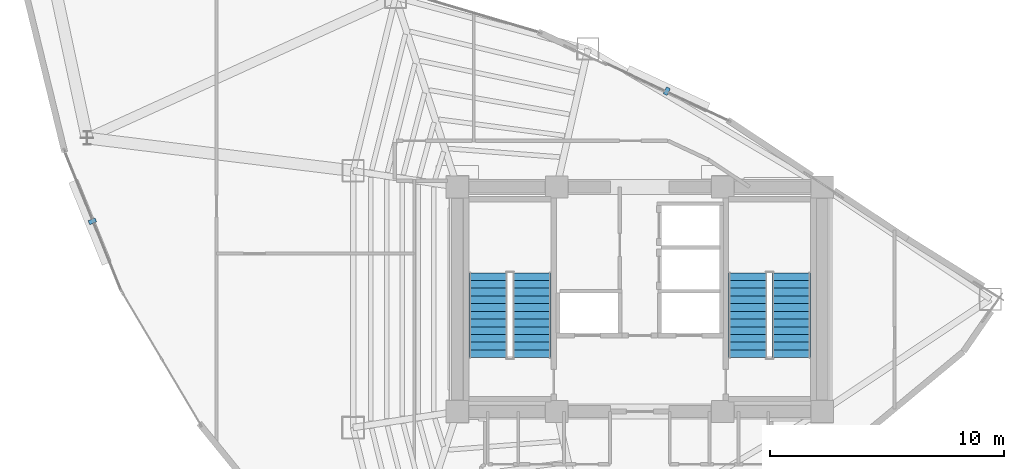
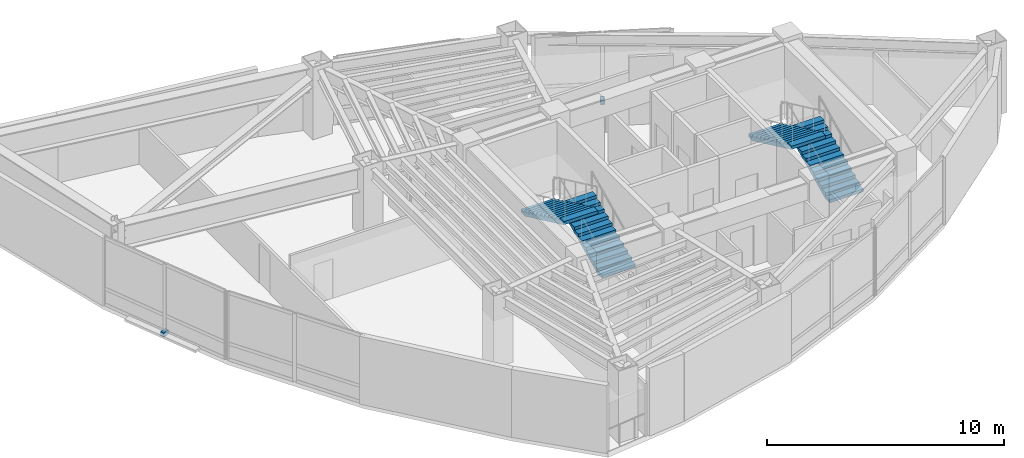
# One storey, part 14 of 16: 4 stair flights, 2 discrete accessories, 2 elements without a shape of their own.
"""IFC4 building model written with IfcOpenShell, lengths in metres."""

import ifcopenshell
import ifcopenshell.guid

model = None  # the IFC model being written
_history = None  # IfcOwnerHistory: only IFC2X3 demands one
_inside = {}  # id of a spatial element -> (the spatial element, [elements in it])
_under = {}  # id of a project, library or spatial element -> (it, [spatial elements below it])
_declared = {}  # id of a project -> (the project, [libraries it declares])
_typed = {}  # id of a type object -> (the type object, [elements of that type])
_made_of = {}  # id of a material, layer set ... -> (it, [elements and type objects made of it])


def new_model(schema):
    """Start an empty IFC model of exactly this schema.

    Asked for "IFC4X3", IfcOpenShell would pick the latest addendum, in which some entities
    have other attributes; the version numbers below select the first issue.
    IFC2X3 requires an IfcOwnerHistory on every rooted entity: one is made here for all.
    """
    global model, _history
    if schema == "IFC4X3":
        model = ifcopenshell.file(schema_version=(4, 3, 0, 0))
    else:
        model = ifcopenshell.file(schema=schema)
    _inside.clear()
    _under.clear()
    _declared.clear()
    _typed.clear()
    _made_of.clear()
    _history = None
    if model.schema == "IFC2X3":
        org = make("IfcOrganization", Name="unknown")
        user = make(
            "IfcPersonAndOrganization",
            ThePerson=make("IfcPerson", FamilyName="unknown"),
            TheOrganization=org,
        )
        app = make(
            "IfcApplication",
            ApplicationDeveloper=org,
            Version="unknown",
            ApplicationFullName="unknown",
            ApplicationIdentifier="unknown",
        )
        _history = make(
            "IfcOwnerHistory",
            OwningUser=user,
            OwningApplication=app,
            ChangeAction="ADDED",
            CreationDate=0,
        )
    return model


def make(cls, **values):
    """One entity of the class cls with the attributes given. An attribute that is None is left unset."""
    return model.create_entity(
        cls, **{name: value for name, value in values.items() if value is not None}
    )


def rooted(cls, **values):
    """An entity with a GlobalId (a new one), such as an element, a storey or a relation."""
    return make(cls, GlobalId=ifcopenshell.guid.new(), OwnerHistory=_history, **values)


def si_unit(unit_type, name, prefix=None):
    """IfcSIUnit, for example si_unit("LENGTHUNIT", "METRE", prefix="MILLI")."""
    return make("IfcSIUnit", UnitType=unit_type, Prefix=prefix, Name=name)


def assignment(units):
    """IfcUnitAssignment: the units of a project."""
    return None if units is None else make("IfcUnitAssignment", Units=units)


def point(xyz):
    """IfcCartesianPoint."""
    return None if xyz is None else make("IfcCartesianPoint", Coordinates=xyz)


def direction(xyz):
    """IfcDirection."""
    return None if xyz is None else make("IfcDirection", DirectionRatios=xyz)


def frame(location, z_axis=None, x_axis=None):
    """IfcAxis2Placement3D, a coordinate frame: its origin and axes. An axis left out is left unset."""
    return make(
        "IfcAxis2Placement3D",
        Location=point(location),
        Axis=direction(z_axis),
        RefDirection=direction(x_axis),
    )


def frame_2d(location, x_axis=None):
    """IfcAxis2Placement2D, a coordinate frame in the plane: its origin and x axis."""
    return make(
        "IfcAxis2Placement2D", Location=point(location), RefDirection=direction(x_axis)
    )


def origin():
    """The frame at (0, 0, 0) with its axes left unset."""
    return frame((0.0, 0.0, 0.0))


def origin_2d():
    """The frame at (0, 0) in the plane with its x axis left unset."""
    return frame_2d((0.0, 0.0))


def place(relative_to, where):
    """IfcLocalPlacement: puts the frame where relative to a parent placement (None: the world)."""
    return make(
        "IfcLocalPlacement", PlacementRelTo=relative_to, RelativePlacement=where
    )


def context(
    kind, dimensions, precision=None, world=None, true_north=None, identifier=None
):
    """IfcGeometricRepresentationContext, for example the 3D "Model" context."""
    return make(
        "IfcGeometricRepresentationContext",
        ContextIdentifier=identifier,
        ContextType=kind,
        CoordinateSpaceDimension=dimensions,
        Precision=precision,
        WorldCoordinateSystem=world,
        TrueNorth=true_north,
    )


def subcontext(parent, identifier, kind, view, scale=None):
    """IfcGeometricRepresentationSubContext, for example "Body" below "Model"."""
    return make(
        "IfcGeometricRepresentationSubContext",
        ContextIdentifier=identifier,
        ContextType=kind,
        ParentContext=parent,
        TargetScale=scale,
        TargetView=view,
    )


def project(units=None, contexts=None):
    """IfcProject with its units and contexts."""
    return rooted(
        "IfcProject",
        Name="project",
        RepresentationContexts=contexts,
        UnitsInContext=assignment(units),
    )


def spatial(cls, under=None, at=None, **own):
    """A site, building, storey or space (cls), placed at a placement, below another one or the project."""
    s = rooted(cls, ObjectPlacement=at, **own)
    if under is not None:
        _under.setdefault(under.id(), (under, []))[1].append(s)
    return s


def polyline(points):
    """IfcPolyline through the points."""
    return make("IfcPolyline", Points=[point(p) for p in points])


def profile(cls, at=None, kind="AREA", **sizes):
    """A parametric profile (cls). Its sizes go by their IFC names, for example OverallWidth=200.0."""
    return make(cls, ProfileType=kind, Position=at, **sizes)


def rectangle(**sizes):
    """IfcRectangleProfileDef."""
    return profile("IfcRectangleProfileDef", **sizes)


def outline(outer, holes=None, kind="AREA"):
    """IfcArbitraryClosedProfileDef: a profile drawn as a closed curve; with holes, ...WithVoids."""
    if holes is None:
        return make("IfcArbitraryClosedProfileDef", ProfileType=kind, OuterCurve=outer)
    return make(
        "IfcArbitraryProfileDefWithVoids",
        ProfileType=kind,
        OuterCurve=outer,
        InnerCurves=holes,
    )


def extrude(swept, where, along, depth):
    """IfcExtrudedAreaSolid: the profile swept, set in the frame where, extruded along a direction by depth."""
    return make(
        "IfcExtrudedAreaSolid",
        SweptArea=swept,
        Position=where,
        ExtrudedDirection=direction(along),
        Depth=depth,
    )


def shape(context_of_items, identifier, shape_type, items):
    """IfcShapeRepresentation: the items that make up one representation, for example the "Body"."""
    return make(
        "IfcShapeRepresentation",
        ContextOfItems=context_of_items,
        RepresentationIdentifier=identifier,
        RepresentationType=shape_type,
        Items=items,
    )


def material(Name=None, Category=None):
    """IfcMaterial."""
    return make("IfcMaterial", Name=Name, Category=Category)


def made_of(thing, what):
    """Note that an element or type object is made of a material, layer set ...; save() writes the relation."""
    if what is not None:
        _made_of.setdefault(what.id(), (what, []))[1].append(thing)
    return thing


def type_object(cls, material=None, **own):
    """A type object (cls), such as IfcWallType, which elements share."""
    return made_of(rooted(cls, **own), material)


def element(
    cls,
    number,
    at=None,
    inside=None,
    cuts=None,
    type_object=None,
    material=None,
    context=None,
    identifier="Body",
    shape_type=None,
    held_by="IfcProductDefinitionShape",
    body=None,
    shapes=None,
    **own,
):
    """One element of the class cls, such as IfcWall. Its Tag is "e" and its number.

    at: its placement. inside: the storey or other place that contains it. cuts: it is an
    opening in that element (IfcRelVoidsElement). A single representation is given by context,
    identifier, shape_type and body (its items); several are given by shapes. held_by: the class
    of the entity that holds the representations. save() writes the other relations.
    """
    e = rooted(cls, Tag="e%d" % number, ObjectPlacement=at, **own)
    if body is not None:
        shapes = [shape(context, identifier, shape_type, body)]
    if shapes is not None:
        e.Representation = make(held_by, Representations=shapes)
    if inside is not None:
        _inside.setdefault(inside.id(), (inside, []))[1].append(e)
    if cuts is not None:
        rooted(
            "IfcRelVoidsElement", RelatingBuildingElement=cuts, RelatedOpeningElement=e
        )
    if type_object is not None:
        _typed.setdefault(type_object.id(), (type_object, []))[1].append(e)
    return made_of(e, material)


def aggregate(whole, parts):
    """IfcRelAggregates: a whole, such as a stair, and the parts it consists of."""
    return rooted("IfcRelAggregates", RelatingObject=whole, RelatedObjects=parts)


def save(model, path):
    """Write the relations noted so far, then the file.

    IfcRelAggregates (storeys below a building ...), IfcRelContainedInSpatialStructure (elements
    in a storey), IfcRelDefinesByType, IfcRelAssociatesMaterial and IfcRelDeclares: one each for
    every whole, place, type object, material and project.
    """
    for whole, parts in _under.values():
        aggregate(whole, parts)
    for where, things in _inside.values():
        rooted(
            "IfcRelContainedInSpatialStructure",
            RelatedElements=things,
            RelatingStructure=where,
        )
    for kind, things in _typed.values():
        rooted("IfcRelDefinesByType", RelatedObjects=things, RelatingType=kind)
    for what, things in _made_of.values():
        rooted("IfcRelAssociatesMaterial", RelatedObjects=things, RelatingMaterial=what)
    for by, libraries in _declared.values():
        rooted("IfcRelDeclares", RelatingContext=by, RelatedDefinitions=libraries)
    model.write(path)


model = new_model("IFC4")

# Units and contexts
model_context = context("Model", 3, precision=1e-05, world=origin(), true_north=direction((0.0, 1.0)))
body_context = subcontext(model_context, "Body", "Model", "MODEL_VIEW")
ifc_project = project(units=[si_unit("LENGTHUNIT", "METRE"), si_unit("AREAUNIT", "SQUARE_METRE"), si_unit("VOLUMEUNIT", "CUBIC_METRE"), si_unit("PLANEANGLEUNIT", "RADIAN"), si_unit("MASSUNIT", "GRAM", prefix="KILO")], contexts=[model_context])

# Site, building, storey
site_placement = place(None, origin())
site = spatial("IfcSite", under=ifc_project, at=site_placement, CompositionType="ELEMENT")
building_placement = place(site_placement, origin())
building = spatial("IfcBuilding", under=site, at=building_placement, Name="Menara Vayukalpa", CompositionType="ELEMENT")
storey_placement = place(building_placement, frame((0.0, 0.0, 195.239990234375)))
storey = spatial("IfcBuildingStorey", under=building, at=storey_placement, Name="L49", CompositionType="ELEMENT", Elevation=195.239990234375)

# Stair, stair flights
ifc_material_1 = material(Name="Precast Concrete C40/50", Category="concrete")
stair_type = type_object("IfcStairType", Name="STR-T04", PredefinedType="DOUBLE_RETURN_STAIR", material=ifc_material_1)
stair_1_placement = place(storey_placement, origin())
stair_1 = element("IfcStair", 1, at=stair_1_placement, inside=storey, type_object=stair_type, Name="L49 Core Exit Stair ST-1", PredefinedType="DOUBLE_RETURN_STAIR")
ifc_material_2 = material(Name="Precast Concrete C40/50", Category="concrete")
stair_flight_type = type_object("IfcStairFlightType", Name="STF-T04", PredefinedType="STRAIGHT", material=ifc_material_2)
stair_flight_1_placement = place(storey_placement, frame((20.97509765625, 19.5, 0.0), z_axis=(0.0, 0.0, 1.0), x_axis=(0.0, 1.0, 0.0)))
stair_flight_1 = element("IfcStairFlight", 2, at=stair_flight_1_placement, type_object=stair_flight_type, Name="ST-1 flight 1", NumberOfRisers=12, NumberOfTreads=11, PredefinedType="STRAIGHT", RiserHeight=0.155, TreadLength=0.33, context=body_context, shape_type="SweptSolid", body=[
    extrude(outline(polyline([(0.0, 0.0), (0.0, 0.155029296875), (0.330078125, 0.155029296875), (0.330078125, 0.31005859375), (0.659912109375, 0.31005859375), (0.659912109375, 0.465087890625), (0.989990234375, 0.465087890625), (0.989990234375, 0.6201171875), (1.320068359375, 0.6201171875), (1.320068359375, 0.77490234375), (1.64990234375, 0.77490234375), (1.64990234375, 0.929931640625), (1.97998046875, 0.929931640625), (1.97998046875, 1.0849609375), (2.31005859375, 1.0849609375), (2.31005859375, 1.239990234375), (2.639892578125, 1.239990234375), (2.639892578125, 1.39501953125), (2.969970703125, 1.39501953125), (2.969970703125, 1.550048828125), (3.300048828125, 1.550048828125), (3.300048828125, 1.705078125), (3.6298828125, 1.705078125), (3.6298828125, 1.860107421875), (3.6298828125, 1.539306640625), (0.3525390625, 0.0), (0.0, 0.0)])), frame((0.0, 0.824951171875, 0.0), z_axis=(0.0, -1.0, 0.0), x_axis=(1.0, 0.0, 0.0)), (0.0, 0.0, 1.0), 1.64990234375),
])
stair_flight_2_placement = place(storey_placement, frame((19.125, 23.1298828125, 1.860107421875), z_axis=(0.0, 0.0, 1.0), x_axis=(0.0, -1.0, 0.0)))
stair_flight_2 = element("IfcStairFlight", 3, at=stair_flight_2_placement, type_object=stair_flight_type, Name="ST-1 flight 2", NumberOfRisers=12, NumberOfTreads=11, PredefinedType="STRAIGHT", RiserHeight=0.155, TreadLength=0.33, context=body_context, shape_type="SweptSolid", body=[
    extrude(outline(polyline([(0.0, 0.0), (0.0, 0.155029296875), (0.330078125, 0.155029296875), (0.330078125, 0.31005859375), (0.659912109375, 0.31005859375), (0.659912109375, 0.465087890625), (0.989990234375, 0.465087890625), (0.989990234375, 0.6201171875), (1.320068359375, 0.6201171875), (1.320068359375, 0.77490234375), (1.64990234375, 0.77490234375), (1.64990234375, 0.929931640625), (1.97998046875, 0.929931640625), (1.97998046875, 1.0849609375), (2.31005859375, 1.0849609375), (2.31005859375, 1.239990234375), (2.639892578125, 1.239990234375), (2.639892578125, 1.39501953125), (2.969970703125, 1.39501953125), (2.969970703125, 1.550048828125), (3.300048828125, 1.550048828125), (3.300048828125, 1.705078125), (3.6298828125, 1.705078125), (3.6298828125, 1.860107421875), (3.6298828125, 1.539306640625), (0.3525390625, 0.0), (0.0, 0.0)])), frame((0.0, 0.824951171875, 0.0), z_axis=(0.0, -1.0, 0.0), x_axis=(1.0, 0.0, 0.0)), (0.0, 0.0, 1.0), 1.64990234375),
])
aggregate(stair_1, [stair_flight_1, stair_flight_2])

stair_2_placement = place(storey_placement, origin())
stair_2 = element("IfcStair", 4, at=stair_2_placement, inside=storey, type_object=stair_type, Name="L49 Core Exit Stair ST-2", PredefinedType="DOUBLE_RETURN_STAIR")
stair_flight_3_placement = place(storey_placement, frame((32.074951171875, 19.5, 0.0), z_axis=(0.0, 0.0, 1.0), x_axis=(0.0, 1.0, 0.0)))
stair_flight_3 = element("IfcStairFlight", 5, at=stair_flight_3_placement, type_object=stair_flight_type, Name="ST-2 flight 1", NumberOfRisers=12, NumberOfTreads=11, PredefinedType="STRAIGHT", RiserHeight=0.155, TreadLength=0.33, context=body_context, shape_type="SweptSolid", body=[
    extrude(outline(polyline([(0.0, 0.0), (0.0, 0.155029296875), (0.330078125, 0.155029296875), (0.330078125, 0.31005859375), (0.659912109375, 0.31005859375), (0.659912109375, 0.465087890625), (0.989990234375, 0.465087890625), (0.989990234375, 0.6201171875), (1.320068359375, 0.6201171875), (1.320068359375, 0.77490234375), (1.64990234375, 0.77490234375), (1.64990234375, 0.929931640625), (1.97998046875, 0.929931640625), (1.97998046875, 1.0849609375), (2.31005859375, 1.0849609375), (2.31005859375, 1.239990234375), (2.639892578125, 1.239990234375), (2.639892578125, 1.39501953125), (2.969970703125, 1.39501953125), (2.969970703125, 1.550048828125), (3.300048828125, 1.550048828125), (3.300048828125, 1.705078125), (3.6298828125, 1.705078125), (3.6298828125, 1.860107421875), (3.6298828125, 1.539306640625), (0.3525390625, 0.0), (0.0, 0.0)])), frame((0.0, 0.824951171875, 0.0), z_axis=(0.0, -1.0, 0.0), x_axis=(1.0, 0.0, 0.0)), (0.0, 0.0, 1.0), 1.64990234375),
])
stair_flight_4_placement = place(storey_placement, frame((30.22509765625, 23.1298828125, 1.860107421875), z_axis=(0.0, 0.0, 1.0), x_axis=(0.0, -1.0, 0.0)))
stair_flight_4 = element("IfcStairFlight", 6, at=stair_flight_4_placement, type_object=stair_flight_type, Name="ST-2 flight 2", NumberOfRisers=12, NumberOfTreads=11, PredefinedType="STRAIGHT", RiserHeight=0.155, TreadLength=0.33, context=body_context, shape_type="SweptSolid", body=[
    extrude(outline(polyline([(0.0, 0.0), (0.0, 0.155029296875), (0.330078125, 0.155029296875), (0.330078125, 0.31005859375), (0.659912109375, 0.31005859375), (0.659912109375, 0.465087890625), (0.989990234375, 0.465087890625), (0.989990234375, 0.6201171875), (1.320068359375, 0.6201171875), (1.320068359375, 0.77490234375), (1.64990234375, 0.77490234375), (1.64990234375, 0.929931640625), (1.97998046875, 0.929931640625), (1.97998046875, 1.0849609375), (2.31005859375, 1.0849609375), (2.31005859375, 1.239990234375), (2.639892578125, 1.239990234375), (2.639892578125, 1.39501953125), (2.969970703125, 1.39501953125), (2.969970703125, 1.550048828125), (3.300048828125, 1.550048828125), (3.300048828125, 1.705078125), (3.6298828125, 1.705078125), (3.6298828125, 1.860107421875), (3.6298828125, 1.539306640625), (0.3525390625, 0.0), (0.0, 0.0)])), frame((0.0, 0.824951171875, 0.0), z_axis=(0.0, -1.0, 0.0), x_axis=(1.0, 0.0, 0.0)), (0.0, 0.0, 1.0), 1.64990234375),
])
aggregate(stair_2, [stair_flight_3, stair_flight_4])

# Discrete accessories
ifc_material_3 = material(Name="Stainless Steel 316 Sunshade Bracket", Category="steel")
discrete_accessory_type = type_object("IfcDiscreteAccessoryType", Name="ACC-BRK1", PredefinedType="BRACKET", material=ifc_material_3)
for number, where, z_axis, x_axis, name in (
    (7, (26.754638671875, 30.8955078125, -0.16015625), (0.0, 0.0, 1.0), (-0.905783389628, 0.423741018871, 0.0), "L49 Terracotta Sunshade Bracket 05"),
    (8, (2.1953125, 25.329345703125, -0.16015625), (0.0, 0.0, 1.0), (0.376094891671, -0.926581152657, 0.0), "L49 Terracotta Sunshade Bracket 13"),
):
    element("IfcDiscreteAccessory", number, at=place(storey_placement, frame(where, z_axis=z_axis, x_axis=x_axis)), inside=storey, type_object=discrete_accessory_type, Name=name, PredefinedType="BRACKET", context=body_context, shape_type="SweptSolid", body=[
        extrude(rectangle(XDim=0.179931640625, YDim=0.320068359375, at=origin_2d()), origin(), (0.0, 0.0, 1.0), 0.219970703125),
    ])

save(model, "model.ifc")
